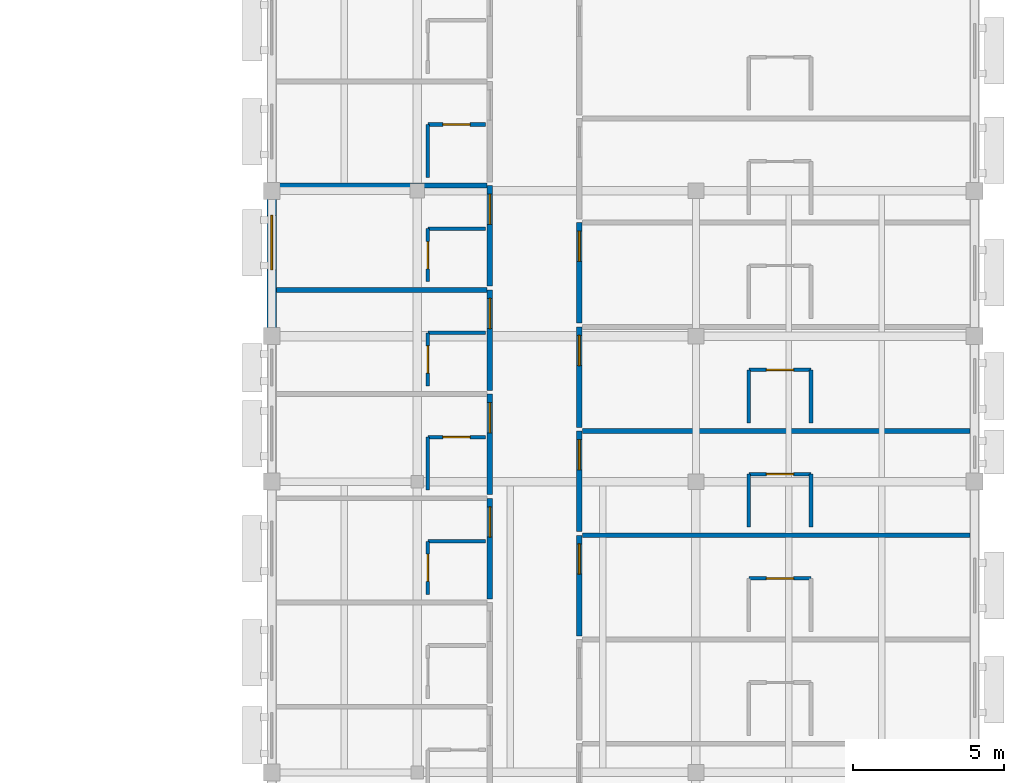
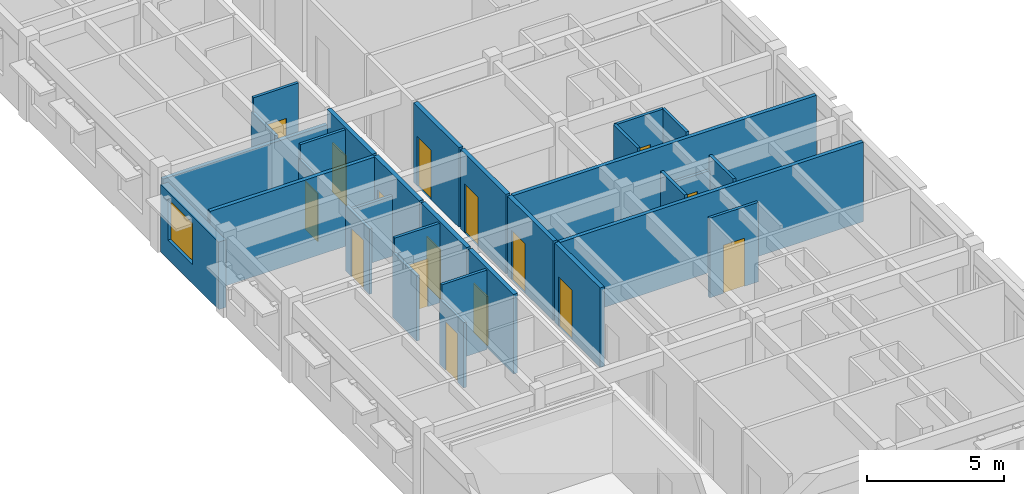
# One storey, part 11 of 31: 30 walls, 16 doors, 1 window, 17 openings.
"""IFC4 building model written with IfcOpenShell, lengths in metres."""

from ifc_helpers import new_model, si_unit, direction, frame, frame_2d, origin, place, context, subcontext, project, spatial, rectangle, extrude, material, layer, layer_set, type_object, element, fill, save


model = new_model("IFC4")

# Units and contexts
model_context = context("Model", 3, precision=1e-05, world=origin(), true_north=direction((0.0, 1.0)))
body_context = subcontext(model_context, "Body", "Model", "MODEL_VIEW")
ifc_project = project(units=[si_unit("LENGTHUNIT", "METRE"), si_unit("AREAUNIT", "SQUARE_METRE"), si_unit("VOLUMEUNIT", "CUBIC_METRE"), si_unit("PLANEANGLEUNIT", "RADIAN"), si_unit("MASSUNIT", "GRAM", prefix="KILO")], contexts=[model_context])

# Site, building, storey
site_placement = place(None, origin())
site = spatial("IfcSite", under=ifc_project, at=site_placement, CompositionType="ELEMENT")
building_placement = place(site_placement, origin())
building = spatial("IfcBuilding", under=site, at=building_placement, Name="Veldera Park Congress Hotel", CompositionType="ELEMENT")
storey_placement = place(building_placement, frame((0.0, 0.0, 20.0)))
storey = spatial("IfcBuildingStorey", under=building, at=storey_placement, Name="L04", CompositionType="ELEMENT", Elevation=20.0)

# Wall, opening, window
ifc_material_1 = material(Name="Cross-laminated timber CLT V2M1.1", Category="wood")
ifc_layer_1 = layer(ifc_material_1, 0.320068359375)
ifc_layer_set_1 = layer_set([ifc_layer_1], Name="Cross-laminated timber CLT V2M1.1")
wall_type_1 = type_object("IfcWallType", Name="EW-CLT320", PredefinedType="STANDARD", material=ifc_layer_set_1)
wall_1_placement = place(storey_placement, frame((60.800048828125, -18.8779296875, 0.0), z_axis=(0.0, 0.0, 1.0), x_axis=(0.0, -1.0, 0.0)))
wall_1 = element("IfcWall", 1, at=wall_1_placement, inside=storey, type_object=wall_type_1, Name="L04 Exterior Wall EW3-L04-0272", PredefinedType="STANDARD", context=body_context, shape_type="SweptSolid", body=[
    extrude(rectangle(XDim=4.244140625, YDim=0.320068359375, at=frame_2d((2.1220703125, 0.0))), origin(), (0.0, 0.0, 1.0), 3.0048828125),
])
opening_1_placement = place(wall_1_placement, frame((0.535888671875, 0.0, 0.85009765625)))
opening_1 = element("IfcOpeningElement", 2, at=opening_1_placement, cuts=wall_1, Name="Opening WIN-1800", PredefinedType="OPENING", context=body_context, shape_type="SweptSolid", body=[
    extrude(rectangle(XDim=1.800048828125, YDim=1.85009765625, at=frame_2d((0.89990234375, 0.925048828125))), frame((0.0, 0.172119140625, 0.0), z_axis=(0.0, -1.0, 0.0), x_axis=(1.0, 0.0, 0.0)), (0.0, 0.0, 1.0), 0.343994140625),
])
ifc_material_2 = material(Name="Low-E Triple Insulating Glass Unit (SHGC 0.22)", Category="glass")
window_type = type_object("IfcWindowType", Name="WIN-1800", PartitioningType="SINGLE_PANEL", PredefinedType="WINDOW", material=ifc_material_2)
window_placement = place(opening_1_placement, origin())
window = element("IfcWindow", 3, at=window_placement, inside=storey, type_object=window_type, Name="L04 Window WIN-1800 444", OverallHeight=1.85009765625, OverallWidth=1.800048828125, PartitioningType="SINGLE_PANEL", PredefinedType="WINDOW", context=body_context, shape_type="SweptSolid", body=[
    extrude(rectangle(XDim=1.800048828125, YDim=1.85009765625, at=frame_2d((0.89990234375, 0.925048828125))), frame((0.0, 0.030029296875, 0.0), z_axis=(0.0, -1.0, 0.0), x_axis=(1.0, 0.0, 0.0)), (0.0, 0.0, 1.0), 0.06005859375),
])
fill(opening_1, window)

# Wall, opening, door
ifc_material_3 = material(Name="Fire-Rated Gypsum Board on Cold-Formed Steel Studs", Category="steel")
ifc_layer_2 = layer(ifc_material_3, 0.1201171875)
ifc_layer_set_2 = layer_set([ifc_layer_2], Name="Fire-Rated Gypsum Board on Cold-Formed Steel Studs")
wall_type_2 = type_object("IfcWallType", Name="IW-BATH120", PredefinedType="PARTITIONING", material=ifc_layer_set_2)
wall_2_placement = place(storey_placement, frame((65.949951171875, -31.919921875, 0.0), z_axis=(0.0, 0.0, 1.0), x_axis=(0.0, 1.0, 0.0)))
wall_2 = element("IfcWall", 4, at=wall_2_placement, inside=storey, type_object=wall_type_2, Name="L04 Partition Wall IW3-L04-00813", PredefinedType="PARTITIONING", context=body_context, shape_type="SweptSolid", body=[
    extrude(rectangle(XDim=1.75, YDim=0.1201171875, at=frame_2d((0.875, 0.0))), origin(), (0.0, 0.0, 1.0), 2.905029296875),
])
opening_2_placement = place(wall_2_placement, frame((0.425048828125, 0.0, 0.0)))
opening_2 = element("IfcOpeningElement", 5, at=opening_2_placement, cuts=wall_2, Name="Opening ID-BATH090", PredefinedType="OPENING", context=body_context, shape_type="SweptSolid", body=[
    extrude(rectangle(XDim=0.89990234375, YDim=2.14990234375, at=frame_2d((0.449951171875, 1.074951171875))), frame((0.0, 0.072021484375, 0.0), z_axis=(0.0, -1.0, 0.0), x_axis=(1.0, 0.0, 0.0)), (0.0, 0.0, 1.0), 0.14404296875),
])
ifc_material_4 = material(Name="Solid Core White Oak Architectural Door", Category="wood")
door_type_1 = type_object("IfcDoorType", Name="ID-BATH090", OperationType="NOTDEFINED", PredefinedType="DOOR", material=ifc_material_4)
door_1_placement = place(opening_2_placement, origin())
door_1 = element("IfcDoor", 6, at=door_1_placement, inside=storey, type_object=door_type_1, Name="L04 En-suite 097 Door ID3-L04-0333 (DR3-ID3-L04-0333)", OperationType="SINGLE_SWING_LEFT", OverallHeight=2.14990234375, OverallWidth=0.89990234375, PredefinedType="DOOR", context=body_context, shape_type="SweptSolid", body=[
    extrude(rectangle(XDim=0.89990234375, YDim=2.14990234375, at=frame_2d((0.449951171875, 1.074951171875))), frame((0.0, 0.02490234375, 0.0), z_axis=(0.0, -1.0, 0.0), x_axis=(1.0, 0.0, 0.0)), (0.0, 0.0, 1.0), 0.050048828125),
])
fill(opening_2, door_1)

# Walls
wall_3_placement = place(storey_placement, frame((65.949951171875, -30.169921875, 0.0), z_axis=(0.0, 0.0, 1.0), x_axis=(1.0, 0.0, 0.0)))
element("IfcWall", 7, at=wall_3_placement, inside=storey, type_object=wall_type_2, Name="L04 Partition Wall IW3-L04-00814", PredefinedType="PARTITIONING", context=body_context, shape_type="SweptSolid", body=[
    extrude(rectangle(XDim=1.900146484375, YDim=0.1201171875, at=frame_2d((0.9501953125, 0.0))), origin(), (0.0, 0.0, 1.0), 3.550048828125),
])
wall_4_placement = place(storey_placement, frame((65.949951171875, -28.47998046875, 0.0), z_axis=(0.0, 0.0, 1.0), x_axis=(0.0, 1.0, 0.0)))
element("IfcWall", 8, at=wall_4_placement, inside=storey, type_object=wall_type_2, Name="L04 Partition Wall IW3-L04-00817", PredefinedType="PARTITIONING", context=body_context, shape_type="SweptSolid", body=[
    extrude(rectangle(XDim=1.75, YDim=0.1201171875, at=frame_2d((0.875, 0.0))), origin(), (0.0, 0.0, 1.0), 2.905029296875),
])

# Wall, opening, door
wall_5_placement = place(storey_placement, frame((65.949951171875, -26.72998046875, 0.0), z_axis=(0.0, 0.0, 1.0), x_axis=(1.0, 0.0, 0.0)))
wall_5 = element("IfcWall", 9, at=wall_5_placement, inside=storey, type_object=wall_type_2, Name="L04 Partition Wall IW3-L04-00818", PredefinedType="PARTITIONING", context=body_context, shape_type="SweptSolid", body=[
    extrude(rectangle(XDim=1.900146484375, YDim=0.1201171875, at=frame_2d((0.9501953125, 0.0))), origin(), (0.0, 0.0, 1.0), 3.550048828125),
])
opening_3_placement = place(wall_5_placement, frame((0.5, 0.0, 0.0)))
opening_3 = element("IfcOpeningElement", 10, at=opening_3_placement, cuts=wall_5, Name="Opening ID-BATH090", PredefinedType="OPENING", context=body_context, shape_type="SweptSolid", body=[
    extrude(rectangle(XDim=0.89990234375, YDim=2.14990234375, at=frame_2d((0.449951171875, 1.074951171875))), frame((0.0, 0.072021484375, 0.0), z_axis=(0.0, -1.0, 0.0), x_axis=(1.0, 0.0, 0.0)), (0.0, 0.0, 1.0), 0.14404296875),
])
door_2_placement = place(opening_3_placement, origin())
door_2 = element("IfcDoor", 11, at=door_2_placement, inside=storey, type_object=door_type_1, Name="L04 En-suite 098 Door ID3-L04-0335 (DR3-ID3-L04-0335)", OperationType="SINGLE_SWING_LEFT", OverallHeight=2.14990234375, OverallWidth=0.89990234375, PredefinedType="DOOR", context=body_context, shape_type="SweptSolid", body=[
    extrude(rectangle(XDim=0.89990234375, YDim=2.14990234375, at=frame_2d((0.449951171875, 1.074951171875))), frame((0.0, 0.02490234375, 0.0), z_axis=(0.0, -1.0, 0.0), x_axis=(1.0, 0.0, 0.0)), (0.0, 0.0, 1.0), 0.050048828125),
])
fill(opening_3, door_2)

wall_6_placement = place(storey_placement, frame((65.949951171875, -25.0400390625, 0.0), z_axis=(0.0, 0.0, 1.0), x_axis=(0.0, 1.0, 0.0)))
wall_6 = element("IfcWall", 12, at=wall_6_placement, inside=storey, type_object=wall_type_2, Name="L04 Partition Wall IW3-L04-00821", PredefinedType="PARTITIONING", context=body_context, shape_type="SweptSolid", body=[
    extrude(rectangle(XDim=1.75, YDim=0.1201171875, at=frame_2d((0.875, 0.0))), origin(), (0.0, 0.0, 1.0), 2.905029296875),
])
opening_4_placement = place(wall_6_placement, frame((0.425048828125, 0.0, 0.0)))
opening_4 = element("IfcOpeningElement", 13, at=opening_4_placement, cuts=wall_6, Name="Opening ID-BATH090", PredefinedType="OPENING", context=body_context, shape_type="SweptSolid", body=[
    extrude(rectangle(XDim=0.89990234375, YDim=2.14990234375, at=frame_2d((0.449951171875, 1.074951171875))), frame((0.0, 0.072021484375, 0.0), z_axis=(0.0, -1.0, 0.0), x_axis=(1.0, 0.0, 0.0)), (0.0, 0.0, 1.0), 0.14404296875),
])
door_3_placement = place(opening_4_placement, origin())
door_3 = element("IfcDoor", 14, at=door_3_placement, inside=storey, type_object=door_type_1, Name="L04 En-suite 099 Door ID3-L04-0337 (DR3-ID3-L04-0337)", OperationType="SINGLE_SWING_LEFT", OverallHeight=2.14990234375, OverallWidth=0.89990234375, PredefinedType="DOOR", context=body_context, shape_type="SweptSolid", body=[
    extrude(rectangle(XDim=0.89990234375, YDim=2.14990234375, at=frame_2d((0.449951171875, 1.074951171875))), frame((0.0, 0.02490234375, 0.0), z_axis=(0.0, -1.0, 0.0), x_axis=(1.0, 0.0, 0.0)), (0.0, 0.0, 1.0), 0.050048828125),
])
fill(opening_4, door_3)

# Wall
wall_7_placement = place(storey_placement, frame((65.949951171875, -23.2900390625, 0.0), z_axis=(0.0, 0.0, 1.0), x_axis=(1.0, 0.0, 0.0)))
element("IfcWall", 15, at=wall_7_placement, inside=storey, type_object=wall_type_2, Name="L04 Partition Wall IW3-L04-00822", PredefinedType="PARTITIONING", context=body_context, shape_type="SweptSolid", body=[
    extrude(rectangle(XDim=1.900146484375, YDim=0.1201171875, at=frame_2d((0.9501953125, 0.0))), origin(), (0.0, 0.0, 1.0), 2.68505859375),
])

# Wall, opening, door
wall_8_placement = place(storey_placement, frame((65.949951171875, -21.60009765625, 0.0), z_axis=(0.0, 0.0, 1.0), x_axis=(0.0, 1.0, 0.0)))
wall_8 = element("IfcWall", 16, at=wall_8_placement, inside=storey, type_object=wall_type_2, Name="L04 Partition Wall IW3-L04-00825", PredefinedType="PARTITIONING", context=body_context, shape_type="SweptSolid", body=[
    extrude(rectangle(XDim=1.75, YDim=0.1201171875, at=frame_2d((0.875, 0.0))), origin(), (0.0, 0.0, 1.0), 2.905029296875),
])
opening_5_placement = place(wall_8_placement, frame((0.425048828125, 0.0, 0.0)))
opening_5 = element("IfcOpeningElement", 17, at=opening_5_placement, cuts=wall_8, Name="Opening ID-BATH090", PredefinedType="OPENING", context=body_context, shape_type="SweptSolid", body=[
    extrude(rectangle(XDim=0.89990234375, YDim=2.14990234375, at=frame_2d((0.449951171875, 1.074951171875))), frame((0.0, 0.072021484375, 0.0), z_axis=(0.0, -1.0, 0.0), x_axis=(1.0, 0.0, 0.0)), (0.0, 0.0, 1.0), 0.14404296875),
])
door_4_placement = place(opening_5_placement, origin())
door_4 = element("IfcDoor", 18, at=door_4_placement, inside=storey, type_object=door_type_1, Name="L04 En-suite 100 Door ID3-L04-0339 (DR3-ID3-L04-0339)", OperationType="SINGLE_SWING_LEFT", OverallHeight=2.14990234375, OverallWidth=0.89990234375, PredefinedType="DOOR", context=body_context, shape_type="SweptSolid", body=[
    extrude(rectangle(XDim=0.89990234375, YDim=2.14990234375, at=frame_2d((0.449951171875, 1.074951171875))), frame((0.0, 0.02490234375, 0.0), z_axis=(0.0, -1.0, 0.0), x_axis=(1.0, 0.0, 0.0)), (0.0, 0.0, 1.0), 0.050048828125),
])
fill(opening_5, door_4)

# Walls
wall_9_placement = place(storey_placement, frame((65.949951171875, -19.85009765625, 0.0), z_axis=(0.0, 0.0, 1.0), x_axis=(1.0, 0.0, 0.0)))
element("IfcWall", 19, at=wall_9_placement, inside=storey, type_object=wall_type_2, Name="L04 Partition Wall IW3-L04-00826", PredefinedType="PARTITIONING", context=body_context, shape_type="SweptSolid", body=[
    extrude(rectangle(XDim=1.900146484375, YDim=0.1201171875, at=frame_2d((0.9501953125, 0.0))), origin(), (0.0, 0.0, 1.0), 3.550048828125),
])
wall_10_placement = place(storey_placement, frame((65.949951171875, -18.159912109375, 0.0), z_axis=(0.0, 0.0, 1.0), x_axis=(0.0, 1.0, 0.0)))
element("IfcWall", 20, at=wall_10_placement, inside=storey, type_object=wall_type_2, Name="L04 Partition Wall IW3-L04-00829", PredefinedType="PARTITIONING", context=body_context, shape_type="SweptSolid", body=[
    extrude(rectangle(XDim=1.75, YDim=0.1201171875, at=frame_2d((0.875, 0.0))), origin(), (0.0, 0.0, 1.0), 2.905029296875),
])

# Wall, opening, door
wall_11_placement = place(storey_placement, frame((65.949951171875, -16.409912109375, 0.0), z_axis=(0.0, 0.0, 1.0), x_axis=(1.0, 0.0, 0.0)))
wall_11 = element("IfcWall", 21, at=wall_11_placement, inside=storey, type_object=wall_type_2, Name="L04 Partition Wall IW3-L04-00830", PredefinedType="PARTITIONING", context=body_context, shape_type="SweptSolid", body=[
    extrude(rectangle(XDim=1.900146484375, YDim=0.1201171875, at=frame_2d((0.9501953125, 0.0))), origin(), (0.0, 0.0, 1.0), 3.550048828125),
])
opening_6_placement = place(wall_11_placement, frame((0.5, 0.0, 0.0)))
opening_6 = element("IfcOpeningElement", 22, at=opening_6_placement, cuts=wall_11, Name="Opening ID-BATH090", PredefinedType="OPENING", context=body_context, shape_type="SweptSolid", body=[
    extrude(rectangle(XDim=0.89990234375, YDim=2.14990234375, at=frame_2d((0.449951171875, 1.074951171875))), frame((0.0, 0.072021484375, 0.0), z_axis=(0.0, -1.0, 0.0), x_axis=(1.0, 0.0, 0.0)), (0.0, 0.0, 1.0), 0.14404296875),
])
door_5_placement = place(opening_6_placement, origin())
door_5 = element("IfcDoor", 23, at=door_5_placement, inside=storey, type_object=door_type_1, Name="L04 En-suite 101 Door ID3-L04-0341 (DR3-ID3-L04-0341)", OperationType="SINGLE_SWING_LEFT", OverallHeight=2.14990234375, OverallWidth=0.89990234375, PredefinedType="DOOR", context=body_context, shape_type="SweptSolid", body=[
    extrude(rectangle(XDim=0.89990234375, YDim=2.14990234375, at=frame_2d((0.449951171875, 1.074951171875))), frame((0.0, 0.02490234375, 0.0), z_axis=(0.0, -1.0, 0.0), x_axis=(1.0, 0.0, 0.0)), (0.0, 0.0, 1.0), 0.050048828125),
])
fill(opening_6, door_5)

wall_12_placement = place(storey_placement, frame((76.550048828125, -31.389892578125, 0.0), z_axis=(0.0, 0.0, 1.0), x_axis=(1.0, 0.0, 0.0)))
wall_12 = element("IfcWall", 24, at=wall_12_placement, inside=storey, type_object=wall_type_2, Name="L04 Partition Wall IW3-L04-00904", PredefinedType="PARTITIONING", context=body_context, shape_type="SweptSolid", body=[
    extrude(rectangle(XDim=2.050048828125, YDim=0.1201171875, at=frame_2d((1.02490234375, 0.0))), origin(), (0.0, 0.0, 1.0), 3.550048828125),
])
opening_7_placement = place(wall_12_placement, frame((0.574951171875, 0.0, 0.0)))
opening_7 = element("IfcOpeningElement", 25, at=opening_7_placement, cuts=wall_12, Name="Opening ID-BATH090", PredefinedType="OPENING", context=body_context, shape_type="SweptSolid", body=[
    extrude(rectangle(XDim=0.89990234375, YDim=2.14990234375, at=frame_2d((0.449951171875, 1.074951171875))), frame((0.0, 0.072021484375, 0.0), z_axis=(0.0, -1.0, 0.0), x_axis=(1.0, 0.0, 0.0)), (0.0, 0.0, 1.0), 0.14404296875),
])
door_6_placement = place(opening_7_placement, origin())
door_6 = element("IfcDoor", 26, at=door_6_placement, inside=storey, type_object=door_type_1, Name="L04 En-suite 118 Door ID3-L04-0375 (DR3-ID3-L04-0375)", OperationType="SINGLE_SWING_LEFT", OverallHeight=2.14990234375, OverallWidth=0.89990234375, PredefinedType="DOOR", context=body_context, shape_type="SweptSolid", body=[
    extrude(rectangle(XDim=0.89990234375, YDim=2.14990234375, at=frame_2d((0.449951171875, 1.074951171875))), frame((0.0, 0.02490234375, 0.0), z_axis=(0.0, -1.0, 0.0), x_axis=(1.0, 0.0, 0.0)), (0.0, 0.0, 1.0), 0.050048828125),
])
fill(opening_7, door_6)

# Walls
for number, where, z_axis, x_axis, name in (
    (27, (76.550048828125, -29.699951171875, 0.0), (0.0, 0.0, 1.0), (0.0, 1.0, 0.0), "L04 Partition Wall IW3-L04-00907"),
    (28, (78.60009765625, -29.699951171875, 0.0), (0.0, 0.0, 1.0), (0.0, 1.0, 0.0), "L04 Partition Wall IW3-L04-00908"),
):
    element("IfcWall", number, at=place(storey_placement, frame(where, z_axis=z_axis, x_axis=x_axis)), inside=storey, type_object=wall_type_2, Name=name, PredefinedType="PARTITIONING", context=body_context, shape_type="SweptSolid", body=[
        extrude(rectangle(XDim=1.75, YDim=0.1201171875, at=frame_2d((0.875, 0.0))), origin(), (0.0, 0.0, 1.0), 3.550048828125),
    ])

# Wall, opening, door
wall_13_placement = place(storey_placement, frame((76.550048828125, -27.949951171875, 0.0), z_axis=(0.0, 0.0, 1.0), x_axis=(1.0, 0.0, 0.0)))
wall_13 = element("IfcWall", 29, at=wall_13_placement, inside=storey, type_object=wall_type_2, Name="L04 Partition Wall IW3-L04-00909", PredefinedType="PARTITIONING", context=body_context, shape_type="SweptSolid", body=[
    extrude(rectangle(XDim=2.050048828125, YDim=0.1201171875, at=frame_2d((1.02490234375, 0.0))), origin(), (0.0, 0.0, 1.0), 2.905029296875),
])
opening_8_placement = place(wall_13_placement, frame((0.574951171875, 0.0, 0.0)))
opening_8 = element("IfcOpeningElement", 30, at=opening_8_placement, cuts=wall_13, Name="Opening ID-BATH090", PredefinedType="OPENING", context=body_context, shape_type="SweptSolid", body=[
    extrude(rectangle(XDim=0.89990234375, YDim=2.14990234375, at=frame_2d((0.449951171875, 1.074951171875))), frame((0.0, 0.072021484375, 0.0), z_axis=(0.0, -1.0, 0.0), x_axis=(1.0, 0.0, 0.0)), (0.0, 0.0, 1.0), 0.14404296875),
])
door_7_placement = place(opening_8_placement, origin())
door_7 = element("IfcDoor", 31, at=door_7_placement, inside=storey, type_object=door_type_1, Name="L04 En-suite 119 Door ID3-L04-0377 (DR3-ID3-L04-0377)", OperationType="SINGLE_SWING_LEFT", OverallHeight=2.14990234375, OverallWidth=0.89990234375, PredefinedType="DOOR", context=body_context, shape_type="SweptSolid", body=[
    extrude(rectangle(XDim=0.89990234375, YDim=2.14990234375, at=frame_2d((0.449951171875, 1.074951171875))), frame((0.0, 0.02490234375, 0.0), z_axis=(0.0, -1.0, 0.0), x_axis=(1.0, 0.0, 0.0)), (0.0, 0.0, 1.0), 0.050048828125),
])
fill(opening_8, door_7)

# Walls
for number, where, z_axis, x_axis, name in (
    (32, (76.550048828125, -26.260009765625, 0.0), (0.0, 0.0, 1.0), (0.0, 1.0, 0.0), "L04 Partition Wall IW3-L04-00912"),
    (33, (78.60009765625, -26.260009765625, 0.0), (0.0, 0.0, 1.0), (0.0, 1.0, 0.0), "L04 Partition Wall IW3-L04-00913"),
):
    element("IfcWall", number, at=place(storey_placement, frame(where, z_axis=z_axis, x_axis=x_axis)), inside=storey, type_object=wall_type_2, Name=name, PredefinedType="PARTITIONING", context=body_context, shape_type="SweptSolid", body=[
        extrude(rectangle(XDim=1.75, YDim=0.1201171875, at=frame_2d((0.875, 0.0))), origin(), (0.0, 0.0, 1.0), 3.550048828125),
    ])

# Wall, opening, door
wall_14_placement = place(storey_placement, frame((76.550048828125, -24.510009765625, 0.0), z_axis=(0.0, 0.0, 1.0), x_axis=(1.0, 0.0, 0.0)))
wall_14 = element("IfcWall", 34, at=wall_14_placement, inside=storey, type_object=wall_type_2, Name="L04 Partition Wall IW3-L04-00914", PredefinedType="PARTITIONING", context=body_context, shape_type="SweptSolid", body=[
    extrude(rectangle(XDim=2.050048828125, YDim=0.1201171875, at=frame_2d((1.02490234375, 0.0))), origin(), (0.0, 0.0, 1.0), 3.550048828125),
])
opening_9_placement = place(wall_14_placement, frame((0.574951171875, 0.0, 0.0)))
opening_9 = element("IfcOpeningElement", 35, at=opening_9_placement, cuts=wall_14, Name="Opening ID-BATH090", PredefinedType="OPENING", context=body_context, shape_type="SweptSolid", body=[
    extrude(rectangle(XDim=0.89990234375, YDim=2.14990234375, at=frame_2d((0.449951171875, 1.074951171875))), frame((0.0, 0.072021484375, 0.0), z_axis=(0.0, -1.0, 0.0), x_axis=(1.0, 0.0, 0.0)), (0.0, 0.0, 1.0), 0.14404296875),
])
door_8_placement = place(opening_9_placement, origin())
door_8 = element("IfcDoor", 36, at=door_8_placement, inside=storey, type_object=door_type_1, Name="L04 En-suite 120 Door ID3-L04-0379 (DR3-ID3-L04-0379)", OperationType="SINGLE_SWING_LEFT", OverallHeight=2.14990234375, OverallWidth=0.89990234375, PredefinedType="DOOR", context=body_context, shape_type="SweptSolid", body=[
    extrude(rectangle(XDim=0.89990234375, YDim=2.14990234375, at=frame_2d((0.449951171875, 1.074951171875))), frame((0.0, 0.02490234375, 0.0), z_axis=(0.0, -1.0, 0.0), x_axis=(1.0, 0.0, 0.0)), (0.0, 0.0, 1.0), 0.050048828125),
])
fill(opening_9, door_8)

ifc_layer_3 = layer(ifc_material_3, 0.179931640625)
ifc_layer_set_3 = layer_set([ifc_layer_3], Name="Fire-Rated Gypsum Board on Cold-Formed Steel Studs")
wall_type_3 = type_object("IfcWallType", Name="IW-CORR180", PredefinedType="PARTITIONING", material=ifc_layer_set_3)
wall_15_placement = place(storey_placement, frame((68.0, -32.070068359375, 0.0), z_axis=(0.0, 0.0, 1.0), x_axis=(0.0, 1.0, 0.0)))
wall_15 = element("IfcWall", 37, at=wall_15_placement, inside=storey, type_object=wall_type_3, Name="L04 Corridor Wall IW3-L04-00811", PredefinedType="PARTITIONING", context=body_context, shape_type="SweptSolid", body=[
    extrude(rectangle(XDim=3.320068359375, YDim=0.179931640625, at=frame_2d((1.66015625, 0.0))), origin(), (0.0, 0.0, 1.0), 3.550048828125),
])
opening_10_placement = place(wall_15_placement, frame((2.0400390625, 0.0, 0.0)))
opening_10 = element("IfcOpeningElement", 38, at=opening_10_placement, cuts=wall_15, Name="Opening ID-UNIT100", PredefinedType="OPENING", context=body_context, shape_type="SweptSolid", body=[
    extrude(rectangle(XDim=1.0, YDim=2.199951171875, at=frame_2d((0.5, 1.10009765625))), frame((0.0, 0.10205078125, 0.0), z_axis=(0.0, -1.0, 0.0), x_axis=(1.0, 0.0, 0.0)), (0.0, 0.0, 1.0), 0.203857421875),
])
door_type_2 = type_object("IfcDoorType", Name="ID-UNIT100", OperationType="NOTDEFINED", PredefinedType="DOOR", material=ifc_material_4)
door_9_placement = place(opening_10_placement, origin())
door_9 = element("IfcDoor", 39, at=door_9_placement, inside=storey, type_object=door_type_2, Name="L04 Guestroom 097 Entry Door (DR3-UD3-L04-097)", OperationType="SINGLE_SWING_RIGHT", OverallHeight=2.199951171875, OverallWidth=1.0, PredefinedType="DOOR", context=body_context, shape_type="SweptSolid", body=[
    extrude(rectangle(XDim=1.0, YDim=2.199951171875, at=frame_2d((0.5, 1.10009765625))), frame((0.0, 0.02490234375, 0.0), z_axis=(0.0, -1.0, 0.0), x_axis=(1.0, 0.0, 0.0)), (0.0, 0.0, 1.0), 0.050048828125),
])
fill(opening_10, door_9)

wall_16_placement = place(storey_placement, frame((68.0, -28.6298828125, 0.0), z_axis=(0.0, 0.0, 1.0), x_axis=(0.0, 1.0, 0.0)))
wall_16 = element("IfcWall", 40, at=wall_16_placement, inside=storey, type_object=wall_type_3, Name="L04 Corridor Wall IW3-L04-00815", PredefinedType="PARTITIONING", context=body_context, shape_type="SweptSolid", body=[
    extrude(rectangle(XDim=3.31982421875, YDim=0.179931640625, at=frame_2d((1.659912109375, 0.0))), origin(), (0.0, 0.0, 1.0), 3.550048828125),
])
opening_11_placement = place(wall_16_placement, frame((2.0400390625, 0.0, 0.0)))
opening_11 = element("IfcOpeningElement", 41, at=opening_11_placement, cuts=wall_16, Name="Opening ID-UNIT100", PredefinedType="OPENING", context=body_context, shape_type="SweptSolid", body=[
    extrude(rectangle(XDim=1.0, YDim=2.199951171875, at=frame_2d((0.5, 1.10009765625))), frame((0.0, 0.10205078125, 0.0), z_axis=(0.0, -1.0, 0.0), x_axis=(1.0, 0.0, 0.0)), (0.0, 0.0, 1.0), 0.203857421875),
])
door_10_placement = place(opening_11_placement, origin())
door_10 = element("IfcDoor", 42, at=door_10_placement, inside=storey, type_object=door_type_2, Name="L04 Guestroom 098 Entry Door (DR3-UD3-L04-098)", OperationType="SINGLE_SWING_RIGHT", OverallHeight=2.199951171875, OverallWidth=1.0, PredefinedType="DOOR", context=body_context, shape_type="SweptSolid", body=[
    extrude(rectangle(XDim=1.0, YDim=2.199951171875, at=frame_2d((0.5, 1.10009765625))), frame((0.0, 0.02490234375, 0.0), z_axis=(0.0, -1.0, 0.0), x_axis=(1.0, 0.0, 0.0)), (0.0, 0.0, 1.0), 0.050048828125),
])
fill(opening_11, door_10)

wall_17_placement = place(storey_placement, frame((68.0, -25.18994140625, 0.0), z_axis=(0.0, 0.0, 1.0), x_axis=(0.0, 1.0, 0.0)))
wall_17 = element("IfcWall", 43, at=wall_17_placement, inside=storey, type_object=wall_type_3, Name="L04 Corridor Wall IW3-L04-00819", PredefinedType="PARTITIONING", context=body_context, shape_type="SweptSolid", body=[
    extrude(rectangle(XDim=3.31982421875, YDim=0.179931640625, at=frame_2d((1.659912109375, 0.0))), origin(), (0.0, 0.0, 1.0), 3.550048828125),
])
opening_12_placement = place(wall_17_placement, frame((2.0400390625, 0.0, 0.0)))
opening_12 = element("IfcOpeningElement", 44, at=opening_12_placement, cuts=wall_17, Name="Opening ID-UNIT100", PredefinedType="OPENING", context=body_context, shape_type="SweptSolid", body=[
    extrude(rectangle(XDim=1.0, YDim=2.199951171875, at=frame_2d((0.5, 1.10009765625))), frame((0.0, 0.10205078125, 0.0), z_axis=(0.0, -1.0, 0.0), x_axis=(1.0, 0.0, 0.0)), (0.0, 0.0, 1.0), 0.203857421875),
])
door_11_placement = place(opening_12_placement, origin())
door_11 = element("IfcDoor", 45, at=door_11_placement, inside=storey, type_object=door_type_2, Name="L04 Guestroom 099 Entry Door (DR3-UD3-L04-099)", OperationType="SINGLE_SWING_RIGHT", OverallHeight=2.199951171875, OverallWidth=1.0, PredefinedType="DOOR", context=body_context, shape_type="SweptSolid", body=[
    extrude(rectangle(XDim=1.0, YDim=2.199951171875, at=frame_2d((0.5, 1.10009765625))), frame((0.0, 0.02490234375, 0.0), z_axis=(0.0, -1.0, 0.0), x_axis=(1.0, 0.0, 0.0)), (0.0, 0.0, 1.0), 0.050048828125),
])
fill(opening_12, door_11)

wall_18_placement = place(storey_placement, frame((68.0, -21.75, 0.0), z_axis=(0.0, 0.0, 1.0), x_axis=(0.0, 1.0, 0.0)))
wall_18 = element("IfcWall", 46, at=wall_18_placement, inside=storey, type_object=wall_type_3, Name="L04 Corridor Wall IW3-L04-00823", PredefinedType="PARTITIONING", context=body_context, shape_type="SweptSolid", body=[
    extrude(rectangle(XDim=3.320068359375, YDim=0.179931640625, at=frame_2d((1.66015625, 0.0))), origin(), (0.0, 0.0, 1.0), 3.550048828125),
])
opening_13_placement = place(wall_18_placement, frame((2.0400390625, 0.0, 0.0)))
opening_13 = element("IfcOpeningElement", 47, at=opening_13_placement, cuts=wall_18, Name="Opening ID-UNIT100", PredefinedType="OPENING", context=body_context, shape_type="SweptSolid", body=[
    extrude(rectangle(XDim=1.0, YDim=2.199951171875, at=frame_2d((0.5, 1.10009765625))), frame((0.0, 0.10205078125, 0.0), z_axis=(0.0, -1.0, 0.0), x_axis=(1.0, 0.0, 0.0)), (0.0, 0.0, 1.0), 0.203857421875),
])
door_12_placement = place(opening_13_placement, origin())
door_12 = element("IfcDoor", 48, at=door_12_placement, inside=storey, type_object=door_type_2, Name="L04 Guestroom 100 Entry Door (DR3-UD3-L04-100)", OperationType="SINGLE_SWING_RIGHT", OverallHeight=2.199951171875, OverallWidth=1.0, PredefinedType="DOOR", context=body_context, shape_type="SweptSolid", body=[
    extrude(rectangle(XDim=1.0, YDim=2.199951171875, at=frame_2d((0.5, 1.10009765625))), frame((0.0, 0.02490234375, 0.0), z_axis=(0.0, -1.0, 0.0), x_axis=(1.0, 0.0, 0.0)), (0.0, 0.0, 1.0), 0.050048828125),
])
fill(opening_13, door_12)

wall_19_placement = place(storey_placement, frame((70.949951171875, -29.969970703125, 0.0), z_axis=(0.0, 0.0, 1.0), x_axis=(0.0, -1.0, 0.0)))
wall_19 = element("IfcWall", 49, at=wall_19_placement, inside=storey, type_object=wall_type_3, Name="L04 Corridor Wall IW3-L04-00900", PredefinedType="PARTITIONING", context=body_context, shape_type="SweptSolid", body=[
    extrude(rectangle(XDim=3.320068359375, YDim=0.179931640625, at=frame_2d((1.66015625, 0.0))), origin(), (0.0, 0.0, 1.0), 3.550048828125),
])
opening_14_placement = place(wall_19_placement, frame((0.280029296875, 0.0, 0.0)))
opening_14 = element("IfcOpeningElement", 50, at=opening_14_placement, cuts=wall_19, Name="Opening ID-UNIT100", PredefinedType="OPENING", context=body_context, shape_type="SweptSolid", body=[
    extrude(rectangle(XDim=1.0, YDim=2.199951171875, at=frame_2d((0.5, 1.10009765625))), frame((0.0, 0.10205078125, 0.0), z_axis=(0.0, -1.0, 0.0), x_axis=(1.0, 0.0, 0.0)), (0.0, 0.0, 1.0), 0.203857421875),
])
door_13_placement = place(opening_14_placement, origin())
door_13 = element("IfcDoor", 51, at=door_13_placement, inside=storey, type_object=door_type_2, Name="L04 Guestroom 118 Entry Door (DR3-UD3-L04-118)", OperationType="SINGLE_SWING_RIGHT", OverallHeight=2.199951171875, OverallWidth=1.0, PredefinedType="DOOR", context=body_context, shape_type="SweptSolid", body=[
    extrude(rectangle(XDim=1.0, YDim=2.199951171875, at=frame_2d((0.5, 1.10009765625))), frame((0.0, 0.02490234375, 0.0), z_axis=(0.0, -1.0, 0.0), x_axis=(1.0, 0.0, 0.0)), (0.0, 0.0, 1.0), 0.050048828125),
])
fill(opening_14, door_13)

wall_20_placement = place(storey_placement, frame((70.949951171875, -26.530029296875, 0.0), z_axis=(0.0, 0.0, 1.0), x_axis=(0.0, -1.0, 0.0)))
wall_20 = element("IfcWall", 52, at=wall_20_placement, inside=storey, type_object=wall_type_3, Name="L04 Corridor Wall IW3-L04-00905", PredefinedType="PARTITIONING", context=body_context, shape_type="SweptSolid", body=[
    extrude(rectangle(XDim=3.320068359375, YDim=0.179931640625, at=frame_2d((1.66015625, 0.0))), origin(), (0.0, 0.0, 1.0), 3.550048828125),
])
opening_15_placement = place(wall_20_placement, frame((0.280029296875, 0.0, 0.0)))
opening_15 = element("IfcOpeningElement", 53, at=opening_15_placement, cuts=wall_20, Name="Opening ID-UNIT100", PredefinedType="OPENING", context=body_context, shape_type="SweptSolid", body=[
    extrude(rectangle(XDim=1.0, YDim=2.199951171875, at=frame_2d((0.5, 1.10009765625))), frame((0.0, 0.10205078125, 0.0), z_axis=(0.0, -1.0, 0.0), x_axis=(1.0, 0.0, 0.0)), (0.0, 0.0, 1.0), 0.203857421875),
])
door_14_placement = place(opening_15_placement, origin())
door_14 = element("IfcDoor", 54, at=door_14_placement, inside=storey, type_object=door_type_2, Name="L04 Guestroom 119 Entry Door (DR3-UD3-L04-119)", OperationType="SINGLE_SWING_RIGHT", OverallHeight=2.199951171875, OverallWidth=1.0, PredefinedType="DOOR", context=body_context, shape_type="SweptSolid", body=[
    extrude(rectangle(XDim=1.0, YDim=2.199951171875, at=frame_2d((0.5, 1.10009765625))), frame((0.0, 0.02490234375, 0.0), z_axis=(0.0, -1.0, 0.0), x_axis=(1.0, 0.0, 0.0)), (0.0, 0.0, 1.0), 0.050048828125),
])
fill(opening_15, door_14)

wall_21_placement = place(storey_placement, frame((70.949951171875, -23.090087890625, 0.0), z_axis=(0.0, 0.0, 1.0), x_axis=(0.0, -1.0, 0.0)))
wall_21 = element("IfcWall", 55, at=wall_21_placement, inside=storey, type_object=wall_type_3, Name="L04 Corridor Wall IW3-L04-00910", PredefinedType="PARTITIONING", context=body_context, shape_type="SweptSolid", body=[
    extrude(rectangle(XDim=3.31982421875, YDim=0.179931640625, at=frame_2d((1.659912109375, 0.0))), origin(), (0.0, 0.0, 1.0), 3.550048828125),
])
opening_16_placement = place(wall_21_placement, frame((0.280029296875, 0.0, 0.0)))
opening_16 = element("IfcOpeningElement", 56, at=opening_16_placement, cuts=wall_21, Name="Opening ID-UNIT100", PredefinedType="OPENING", context=body_context, shape_type="SweptSolid", body=[
    extrude(rectangle(XDim=1.0, YDim=2.199951171875, at=frame_2d((0.5, 1.10009765625))), frame((0.0, 0.10205078125, 0.0), z_axis=(0.0, -1.0, 0.0), x_axis=(1.0, 0.0, 0.0)), (0.0, 0.0, 1.0), 0.203857421875),
])
door_15_placement = place(opening_16_placement, origin())
door_15 = element("IfcDoor", 57, at=door_15_placement, inside=storey, type_object=door_type_2, Name="L04 Guestroom 120 Entry Door (DR3-UD3-L04-120)", OperationType="SINGLE_SWING_RIGHT", OverallHeight=2.199951171875, OverallWidth=1.0, PredefinedType="DOOR", context=body_context, shape_type="SweptSolid", body=[
    extrude(rectangle(XDim=1.0, YDim=2.199951171875, at=frame_2d((0.5, 1.10009765625))), frame((0.0, 0.02490234375, 0.0), z_axis=(0.0, -1.0, 0.0), x_axis=(1.0, 0.0, 0.0)), (0.0, 0.0, 1.0), 0.050048828125),
])
fill(opening_16, door_15)

wall_22_placement = place(storey_placement, frame((70.949951171875, -19.64990234375, 0.0), z_axis=(0.0, 0.0, 1.0), x_axis=(0.0, -1.0, 0.0)))
wall_22 = element("IfcWall", 58, at=wall_22_placement, inside=storey, type_object=wall_type_3, Name="L04 Corridor Wall IW3-L04-00915", PredefinedType="PARTITIONING", context=body_context, shape_type="SweptSolid", body=[
    extrude(rectangle(XDim=3.320068359375, YDim=0.179931640625, at=frame_2d((1.66015625, 0.0))), origin(), (0.0, 0.0, 1.0), 3.550048828125),
])
opening_17_placement = place(wall_22_placement, frame((0.280029296875, 0.0, 0.0)))
opening_17 = element("IfcOpeningElement", 59, at=opening_17_placement, cuts=wall_22, Name="Opening ID-UNIT100", PredefinedType="OPENING", context=body_context, shape_type="SweptSolid", body=[
    extrude(rectangle(XDim=1.0, YDim=2.199951171875, at=frame_2d((0.5, 1.10009765625))), frame((0.0, 0.10205078125, 0.0), z_axis=(0.0, -1.0, 0.0), x_axis=(1.0, 0.0, 0.0)), (0.0, 0.0, 1.0), 0.203857421875),
])
door_16_placement = place(opening_17_placement, origin())
door_16 = element("IfcDoor", 60, at=door_16_placement, inside=storey, type_object=door_type_2, Name="L04 Guestroom 121 Entry Door (DR3-UD3-L04-121)", OperationType="SINGLE_SWING_RIGHT", OverallHeight=2.199951171875, OverallWidth=1.0, PredefinedType="DOOR", context=body_context, shape_type="SweptSolid", body=[
    extrude(rectangle(XDim=1.0, YDim=2.199951171875, at=frame_2d((0.5, 1.10009765625))), frame((0.0, 0.02490234375, 0.0), z_axis=(0.0, -1.0, 0.0), x_axis=(1.0, 0.0, 0.0)), (0.0, 0.0, 1.0), 0.050048828125),
])
fill(opening_17, door_16)

# Walls
ifc_layer_4 = layer(ifc_material_1, 0.159912109375)
ifc_layer_set_4 = layer_set([ifc_layer_4], Name="Cross-laminated timber CLT V2M1.1")
wall_type_4 = type_object("IfcWallType", Name="IW-UNIT160", PredefinedType="PARTITIONING", material=ifc_layer_set_4)
wall_23_placement = place(storey_placement, frame((60.9599609375, -21.8701171875, 0.0), z_axis=(0.0, 0.0, 1.0), x_axis=(1.0, 0.0, 0.0)))
element("IfcWall", 61, at=wall_23_placement, inside=storey, type_object=wall_type_4, Name="L04 Partition Wall IW3-L04-00820", PredefinedType="PARTITIONING", context=body_context, shape_type="SweptSolid", body=[
    extrude(rectangle(XDim=6.93994140625, YDim=0.159912109375, at=frame_2d((3.469970703125, 0.0))), origin(), (0.0, 0.0, 1.0), 3.550048828125),
])
wall_24_placement = place(storey_placement, frame((60.9599609375, -18.429931640625, 0.0), z_axis=(0.0, 0.0, 1.0), x_axis=(1.0, 0.0, 0.0)))
element("IfcWall", 62, at=wall_24_placement, inside=storey, type_object=wall_type_4, Name="L04 Partition Wall IW3-L04-00824", PredefinedType="PARTITIONING", context=body_context, shape_type="SweptSolid", body=[
    extrude(rectangle(XDim=6.93994140625, YDim=0.159912109375, at=frame_2d((3.469970703125, 0.0))), origin(), (0.0, 0.0, 1.0), 2.905029296875),
])
for number, where, z_axis, x_axis, name in (
    (63, (71.050048828125, -29.969970703125, 0.0), (0.0, 0.0, 1.0), (1.0, 0.0, 0.0), "L04 Partition Wall IW3-L04-00901"),
    (64, (71.050048828125, -26.530029296875, 0.0), (0.0, 0.0, 1.0), (1.0, 0.0, 0.0), "L04 Partition Wall IW3-L04-00906"),
):
    element("IfcWall", number, at=place(storey_placement, frame(where, z_axis=z_axis, x_axis=x_axis)), inside=storey, type_object=wall_type_4, Name=name, PredefinedType="PARTITIONING", context=body_context, shape_type="SweptSolid", body=[
        extrude(rectangle(XDim=12.7900390625, YDim=0.159912109375, at=frame_2d((6.39501953125, 0.0))), origin(), (0.0, 0.0, 1.0), 3.550048828125),
    ])

save(model, "model.ifc")
